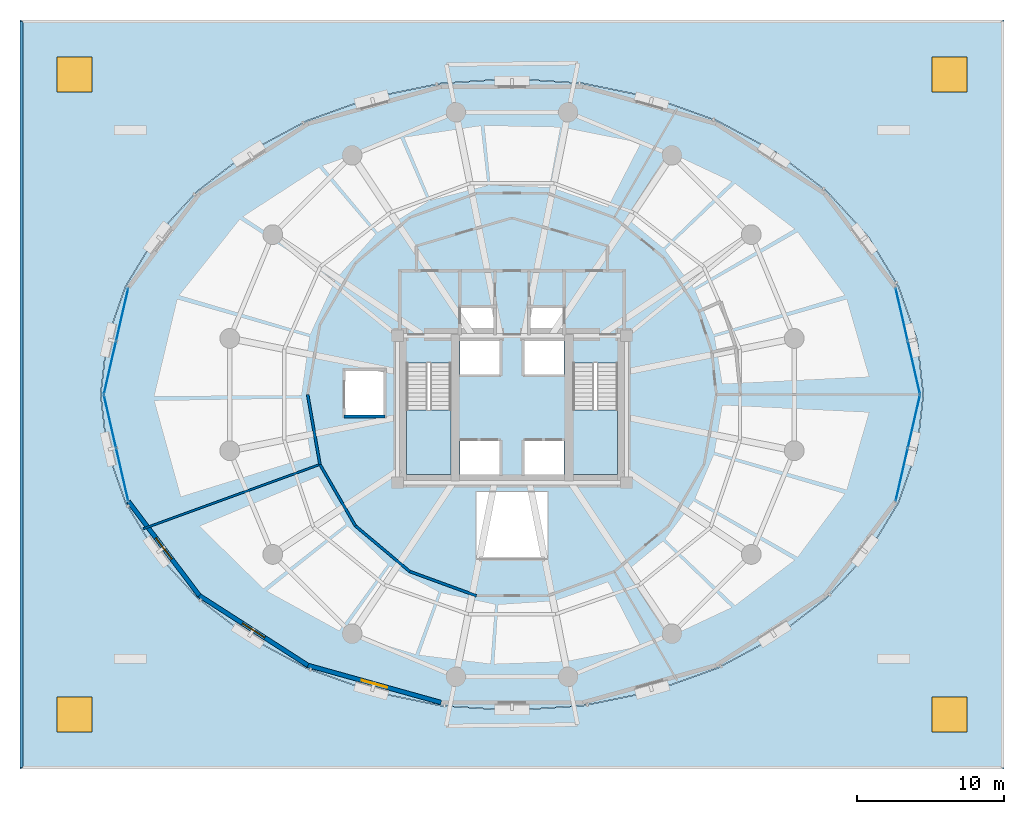
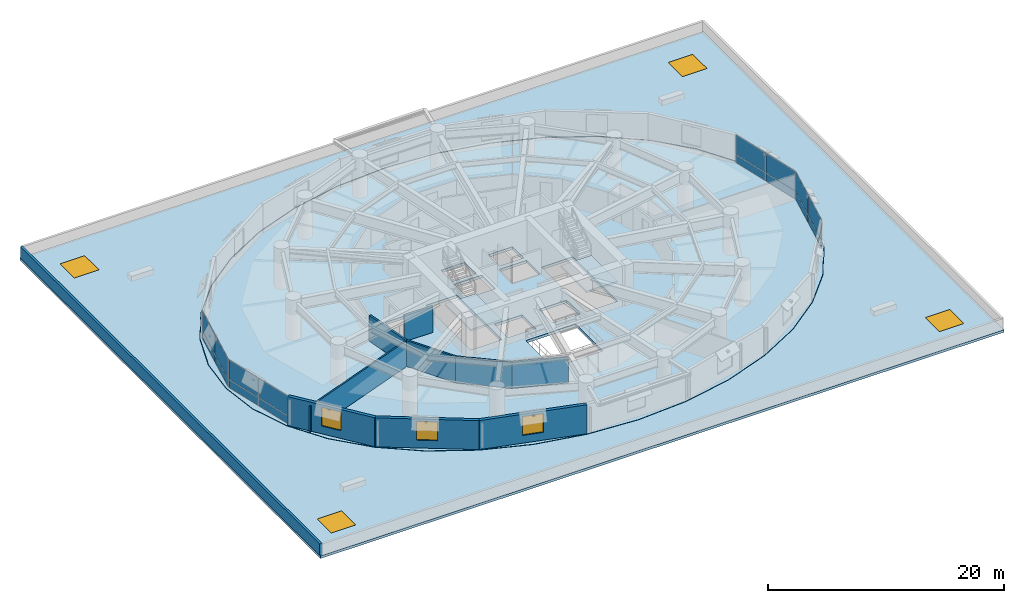
# One storey, part 8 of 15: 16 plates, 10 walls, 7 windows, 4 slabs, 7 openings, 6 elements without a shape of their own.
"""IFC4 building model written with IfcOpenShell, lengths in metres."""

from ifc_helpers import new_model, si_unit, direction, frame, frame_2d, origin, origin_2d, place, context, subcontext, project, spatial, polyline, rectangle, outline, extrude, material, layer, layer_set, type_object, element, fill, aggregate, save


model = new_model("IFC4")

# Units and contexts
model_context = context("Model", 3, precision=1e-05, world=origin(), true_north=direction((0.0, 1.0)))
body_context = subcontext(model_context, "Body", "Model", "MODEL_VIEW")
ifc_project = project(units=[si_unit("LENGTHUNIT", "METRE"), si_unit("AREAUNIT", "SQUARE_METRE"), si_unit("VOLUMEUNIT", "CUBIC_METRE"), si_unit("PLANEANGLEUNIT", "RADIAN"), si_unit("MASSUNIT", "GRAM", prefix="KILO"), si_unit("THERMODYNAMICTEMPERATUREUNIT", "KELVIN"), si_unit("POWERUNIT", "WATT")], contexts=[model_context])

# Site, building, storey
site_placement = place(None, origin())
site = spatial("IfcSite", under=ifc_project, at=site_placement, CompositionType="ELEMENT")
building_placement = place(site_placement, origin())
building = spatial("IfcBuilding", under=site, at=building_placement, Name="Ocrelia Relay Tower", CompositionType="ELEMENT")
storey_placement = place(building_placement, frame((0.0, 0.0, 30.0)))
storey = spatial("IfcBuildingStorey", under=building, at=storey_placement, Name="L06", CompositionType="ELEMENT", Elevation=30.0)

# Curtain wall, plates
ifc_material_1 = material(Name="Aluminium and solar-control low-E glass", Category="aluminium")
ifc_layer_1 = layer(ifc_material_1, 0.179931640625, Name="Aluminium and solar-control low-E glass")
ifc_layer_set_1 = layer_set([ifc_layer_1], Name="Aluminium and solar-control low-E glass")
curtain_wall_type = type_object("IfcCurtainWallType", Name="CW-SYS-Z1-DATA", PredefinedType="NOTDEFINED", material=ifc_layer_set_1)
curtain_wall_1_placement = place(storey_placement, origin())
curtain_wall_1 = element("IfcCurtainWall", 1, at=curtain_wall_1_placement, inside=storey, type_object=curtain_wall_type, Name="L06 Elliptical Tower Curtain Wall Bay 01", PredefinedType="NOTDEFINED")
ifc_material_2 = material(Name="Clear double-glazed low-E glass", Category="glass")
ifc_layer_2 = layer(ifc_material_2, 0.031982421875, Name="Clear double-glazed low-E glass")
ifc_layer_set_2 = layer_set([ifc_layer_2], Name="Clear double-glazed low-E glass")
plate_type = type_object("IfcPlateType", Name="CW-SYS-Z1-DATA-PNL", PredefinedType="CURTAIN_PANEL", material=ifc_layer_set_2)
plate_1_placement = place(storey_placement, frame((61.376953125, 27.83837890625, 0.06494140625), z_axis=(0.0, 0.0, 1.0), x_axis=(-0.224268389459, 0.974527418542, 0.0)))
plate_1 = element("IfcPlate", 2, at=plate_1_placement, type_object=plate_type, Name="CW-Z1 panel 1.1", PredefinedType="CURTAIN_PANEL", context=body_context, shape_type="SweptSolid", body=[
    extrude(rectangle(XDim=3.6328125, YDim=0.031982421875, at=origin_2d()), origin(), (0.0, 0.0, 1.0), 0.802490234375),
])
plate_2_placement = place(storey_placement, frame((61.376953125, 27.83837890625, 0.9326171875), z_axis=(0.0, 0.0, 1.0), x_axis=(-0.224268389459, 0.974527418542, 0.0)))
plate_2 = element("IfcPlate", 3, at=plate_2_placement, type_object=plate_type, Name="CW-Z1 panel 1.2", PredefinedType="CURTAIN_PANEL", context=body_context, shape_type="SweptSolid", body=[
    extrude(rectangle(XDim=3.6328125, YDim=0.031982421875, at=origin_2d()), origin(), (0.0, 0.0, 1.0), 2.00244140625),
])
plate_3_placement = place(storey_placement, frame((60.546630859375, 31.44677734375, 0.06494140625), z_axis=(0.0, 0.0, 1.0), x_axis=(-0.224268389459, 0.974527418542, 0.0)))
plate_3 = element("IfcPlate", 4, at=plate_3_placement, type_object=plate_type, Name="CW-Z1 panel 2.1", PredefinedType="CURTAIN_PANEL", context=body_context, shape_type="SweptSolid", body=[
    extrude(rectangle(XDim=3.6328125, YDim=0.031982421875, at=origin_2d()), origin(), (0.0, 0.0, 1.0), 0.802490234375),
])
plate_4_placement = place(storey_placement, frame((60.546630859375, 31.44677734375, 0.9326171875), z_axis=(0.0, 0.0, 1.0), x_axis=(-0.224268389459, 0.974527418542, 0.0)))
plate_4 = element("IfcPlate", 5, at=plate_4_placement, type_object=plate_type, Name="CW-Z1 panel 2.2", PredefinedType="CURTAIN_PANEL", context=body_context, shape_type="SweptSolid", body=[
    extrude(rectangle(XDim=3.6328125, YDim=0.031982421875, at=origin_2d()), origin(), (0.0, 0.0, 1.0), 2.00244140625),
])
aggregate(curtain_wall_1, [plate_1, plate_2, plate_3, plate_4])

curtain_wall_2_placement = place(storey_placement, origin())
curtain_wall_2 = element("IfcCurtainWall", 6, at=curtain_wall_2_placement, inside=storey, type_object=curtain_wall_type, Name="L06 Elliptical Tower Curtain Wall Bay 09", PredefinedType="NOTDEFINED")
plate_5_placement = place(storey_placement, frame((7.453369140625, 31.44677734375, 0.06494140625), z_axis=(0.0, 0.0, 1.0), x_axis=(-0.224268389459, -0.974527418542, 0.0)))
plate_5 = element("IfcPlate", 7, at=plate_5_placement, type_object=plate_type, Name="CW-Z1 panel 1.1", PredefinedType="CURTAIN_PANEL", context=body_context, shape_type="SweptSolid", body=[
    extrude(rectangle(XDim=3.6328125, YDim=0.031982421875, at=origin_2d()), origin(), (0.0, 0.0, 1.0), 0.802490234375),
])
plate_6_placement = place(storey_placement, frame((7.453369140625, 31.44677734375, 0.9326171875), z_axis=(0.0, 0.0, 1.0), x_axis=(-0.224268389459, -0.974527418542, 0.0)))
plate_6 = element("IfcPlate", 8, at=plate_6_placement, type_object=plate_type, Name="CW-Z1 panel 1.2", PredefinedType="CURTAIN_PANEL", context=body_context, shape_type="SweptSolid", body=[
    extrude(rectangle(XDim=3.6328125, YDim=0.031982421875, at=origin_2d()), origin(), (0.0, 0.0, 1.0), 2.00244140625),
])
plate_7_placement = place(storey_placement, frame((6.623046875, 27.83837890625, 0.06494140625), z_axis=(0.0, 0.0, 1.0), x_axis=(-0.224268389459, -0.974527418542, 0.0)))
plate_7 = element("IfcPlate", 9, at=plate_7_placement, type_object=plate_type, Name="CW-Z1 panel 2.1", PredefinedType="CURTAIN_PANEL", context=body_context, shape_type="SweptSolid", body=[
    extrude(rectangle(XDim=3.6328125, YDim=0.031982421875, at=origin_2d()), origin(), (0.0, 0.0, 1.0), 0.802490234375),
])
plate_8_placement = place(storey_placement, frame((6.623046875, 27.83837890625, 0.9326171875), z_axis=(0.0, 0.0, 1.0), x_axis=(-0.224268389459, -0.974527418542, 0.0)))
plate_8 = element("IfcPlate", 10, at=plate_8_placement, type_object=plate_type, Name="CW-Z1 panel 2.2", PredefinedType="CURTAIN_PANEL", context=body_context, shape_type="SweptSolid", body=[
    extrude(rectangle(XDim=3.6328125, YDim=0.031982421875, at=origin_2d()), origin(), (0.0, 0.0, 1.0), 2.00244140625),
])
aggregate(curtain_wall_2, [plate_5, plate_6, plate_7, plate_8])

curtain_wall_3_placement = place(storey_placement, origin())
curtain_wall_3 = element("IfcCurtainWall", 11, at=curtain_wall_3_placement, inside=storey, type_object=curtain_wall_type, Name="L06 Elliptical Tower Curtain Wall Bay 10", PredefinedType="NOTDEFINED")
plate_9_placement = place(storey_placement, frame((6.623046875, 24.16162109375, 0.06494140625), z_axis=(0.0, 0.0, 1.0), x_axis=(0.224268389459, -0.974527418542, 0.0)))
plate_9 = element("IfcPlate", 12, at=plate_9_placement, type_object=plate_type, Name="CW-Z1 panel 1.1", PredefinedType="CURTAIN_PANEL", context=body_context, shape_type="SweptSolid", body=[
    extrude(rectangle(XDim=3.6328125, YDim=0.031982421875, at=origin_2d()), origin(), (0.0, 0.0, 1.0), 0.802490234375),
])
plate_10_placement = place(storey_placement, frame((6.623046875, 24.16162109375, 0.9326171875), z_axis=(0.0, 0.0, 1.0), x_axis=(0.224268389459, -0.974527418542, 0.0)))
plate_10 = element("IfcPlate", 13, at=plate_10_placement, type_object=plate_type, Name="CW-Z1 panel 1.2", PredefinedType="CURTAIN_PANEL", context=body_context, shape_type="SweptSolid", body=[
    extrude(rectangle(XDim=3.6328125, YDim=0.031982421875, at=origin_2d()), origin(), (0.0, 0.0, 1.0), 2.00244140625),
])
plate_11_placement = place(storey_placement, frame((7.453369140625, 20.55322265625, 0.06494140625), z_axis=(0.0, 0.0, 1.0), x_axis=(0.224268389459, -0.974527418542, 0.0)))
plate_11 = element("IfcPlate", 14, at=plate_11_placement, type_object=plate_type, Name="CW-Z1 panel 2.1", PredefinedType="CURTAIN_PANEL", context=body_context, shape_type="SweptSolid", body=[
    extrude(rectangle(XDim=3.6328125, YDim=0.031982421875, at=origin_2d()), origin(), (0.0, 0.0, 1.0), 0.802490234375),
])
plate_12_placement = place(storey_placement, frame((7.453369140625, 20.55322265625, 0.9326171875), z_axis=(0.0, 0.0, 1.0), x_axis=(0.224268389459, -0.974527418542, 0.0)))
plate_12 = element("IfcPlate", 15, at=plate_12_placement, type_object=plate_type, Name="CW-Z1 panel 2.2", PredefinedType="CURTAIN_PANEL", context=body_context, shape_type="SweptSolid", body=[
    extrude(rectangle(XDim=3.6328125, YDim=0.031982421875, at=origin_2d()), origin(), (0.0, 0.0, 1.0), 2.00244140625),
])
aggregate(curtain_wall_3, [plate_9, plate_10, plate_11, plate_12])

curtain_wall_4_placement = place(storey_placement, origin())
curtain_wall_4 = element("IfcCurtainWall", 16, at=curtain_wall_4_placement, inside=storey, type_object=curtain_wall_type, Name="L06 Elliptical Tower Curtain Wall Bay 18", PredefinedType="NOTDEFINED")
plate_13_placement = place(storey_placement, frame((60.546630859375, 20.55322265625, 0.06494140625), z_axis=(0.0, 0.0, 1.0), x_axis=(0.224268389459, 0.974527418542, 0.0)))
plate_13 = element("IfcPlate", 17, at=plate_13_placement, type_object=plate_type, Name="CW-Z1 panel 1.1", PredefinedType="CURTAIN_PANEL", context=body_context, shape_type="SweptSolid", body=[
    extrude(rectangle(XDim=3.6328125, YDim=0.031982421875, at=origin_2d()), origin(), (0.0, 0.0, 1.0), 0.802490234375),
])
plate_14_placement = place(storey_placement, frame((60.546630859375, 20.55322265625, 0.9326171875), z_axis=(0.0, 0.0, 1.0), x_axis=(0.224268389459, 0.974527418542, 0.0)))
plate_14 = element("IfcPlate", 18, at=plate_14_placement, type_object=plate_type, Name="CW-Z1 panel 1.2", PredefinedType="CURTAIN_PANEL", context=body_context, shape_type="SweptSolid", body=[
    extrude(rectangle(XDim=3.6328125, YDim=0.031982421875, at=origin_2d()), origin(), (0.0, 0.0, 1.0), 2.00244140625),
])
plate_15_placement = place(storey_placement, frame((61.376953125, 24.16162109375, 0.06494140625), z_axis=(0.0, 0.0, 1.0), x_axis=(0.224268389459, 0.974527418542, 0.0)))
plate_15 = element("IfcPlate", 19, at=plate_15_placement, type_object=plate_type, Name="CW-Z1 panel 2.1", PredefinedType="CURTAIN_PANEL", context=body_context, shape_type="SweptSolid", body=[
    extrude(rectangle(XDim=3.6328125, YDim=0.031982421875, at=origin_2d()), origin(), (0.0, 0.0, 1.0), 0.802490234375),
])
plate_16_placement = place(storey_placement, frame((61.376953125, 24.16162109375, 0.9326171875), z_axis=(0.0, 0.0, 1.0), x_axis=(0.224268389459, 0.974527418542, 0.0)))
plate_16 = element("IfcPlate", 20, at=plate_16_placement, type_object=plate_type, Name="CW-Z1 panel 2.2", PredefinedType="CURTAIN_PANEL", context=body_context, shape_type="SweptSolid", body=[
    extrude(rectangle(XDim=3.6328125, YDim=0.031982421875, at=origin_2d()), origin(), (0.0, 0.0, 1.0), 2.00244140625),
])
aggregate(curtain_wall_4, [plate_13, plate_14, plate_15, plate_16])

# Slab
ifc_material_3 = material(Name="Concrete C50/60", Category="concrete")
ifc_layer_3 = layer(ifc_material_3, 0.280029296875, Name="Concrete C50/60")
ifc_layer_set_3 = layer_set([ifc_layer_3], Name="Concrete C50/60")
slab_type_1 = type_object("IfcSlabType", Name="SL-FLR-280", PredefinedType="FLOOR", material=ifc_layer_set_3)
slab_1_placement = place(storey_placement, frame((0.0, 0.0, -0.280029296875)))
element("IfcSlab", 21, at=slab_1_placement, inside=storey, type_object=slab_type_1, Name="L06 Elliptical Tower Floor Slab", PredefinedType="FLOOR", context=body_context, shape_type="SweptSolid", body=[
    extrude(outline(polyline([(62.0, 26.0), (61.57470703125, 29.7333984375), (60.311279296875, 33.353515625), (58.248779296875, 36.75), (55.44921875, 39.81982421875), (51.998046875, 42.469970703125), (48.0, 44.619384765625), (43.57666015625, 46.203369140625), (38.862060546875, 47.17333984375), (34.0, 47.5), (29.137939453125, 47.17333984375), (24.42333984375, 46.203369140625), (20.0, 44.619384765625), (16.001953125, 42.469970703125), (12.55078125, 39.81982421875), (9.751220703125, 36.75), (7.688720703125, 33.353515625), (6.42529296875, 29.7333984375), (6.0, 26.0), (6.42529296875, 22.2666015625), (7.688720703125, 18.646484375), (9.751220703125, 15.25), (12.55078125, 12.18017578125), (16.001953125, 9.530029296875), (20.0, 7.380615234375), (24.42333984375, 5.796630859375), (29.137939453125, 4.82666015625), (34.0, 4.5), (38.862060546875, 4.82666015625), (43.57666015625, 5.796630859375), (48.0, 7.380615234375), (51.998046875, 9.530029296875), (55.44921875, 12.18017578125), (58.248779296875, 15.25), (60.311279296875, 18.646484375), (61.57470703125, 22.2666015625), (62.0, 26.0)]), holes=[polyline([(26.81005859375, 28.14990234375), (26.81005859375, 20.550048828125), (29.85009765625, 20.550048828125), (29.85009765625, 28.14990234375), (26.81005859375, 28.14990234375)]), polyline([(38.159912109375, 28.14990234375), (38.159912109375, 20.550048828125), (41.199951171875, 20.550048828125), (41.199951171875, 28.14990234375), (38.159912109375, 28.14990234375)]), polyline([(30.4599609375, 20.550048828125), (33.159912109375, 20.550048828125), (33.159912109375, 22.85009765625), (30.4599609375, 22.85009765625), (30.4599609375, 20.550048828125)]), polyline([(34.840087890625, 20.550048828125), (37.5400390625, 20.550048828125), (37.5400390625, 22.85009765625), (34.840087890625, 22.85009765625), (34.840087890625, 20.550048828125)]), polyline([(30.4599609375, 27.35009765625), (33.159912109375, 27.35009765625), (33.159912109375, 29.64990234375), (30.4599609375, 29.64990234375), (30.4599609375, 27.35009765625)]), polyline([(34.840087890625, 27.35009765625), (37.5400390625, 27.35009765625), (37.5400390625, 29.64990234375), (34.840087890625, 29.64990234375), (34.840087890625, 27.35009765625)]), polyline([(30.5, 30.10009765625), (32.85009765625, 30.10009765625), (32.85009765625, 32.0), (30.5, 32.0), (30.5, 30.10009765625)]), polyline([(35.14990234375, 30.10009765625), (37.5, 30.10009765625), (37.5, 32.0), (35.14990234375, 32.0), (35.14990234375, 30.10009765625)]), polyline([(22.550048828125, 24.5), (25.35009765625, 24.5), (25.35009765625, 27.699951171875), (22.550048828125, 27.699951171875), (22.550048828125, 24.5)]), polyline([(31.550048828125, 14.800048828125), (36.449951171875, 14.800048828125), (36.449951171875, 19.39990234375), (31.550048828125, 19.39990234375), (31.550048828125, 14.800048828125)])]), origin(), (0.0, 0.0, 1.0), 0.280029296875),
])

# Stair, slab
stair_type = type_object("IfcStairType", Name="ST-DL-1420-R175", PredefinedType="HALF_TURN_STAIR", material=ifc_material_3)
stair_1_placement = place(storey_placement, origin())
stair_1 = element("IfcStair", 22, at=stair_1_placement, inside=storey, type_object=stair_type, Name="L06 West Core Exit Stair ST1", PredefinedType="HALF_TURN_STAIR")
ifc_layer_4 = layer(ifc_material_3, 0.199951171875, Name="Concrete C50/60")
ifc_layer_set_4 = layer_set([ifc_layer_4], Name="Concrete C50/60")
slab_type_2 = type_object("IfcSlabType", Name="SL-LANDING-200", PredefinedType="LANDING", material=ifc_layer_set_4)
slab_2_placement = place(storey_placement, frame((0.0, 0.0, 1.89990234375)))
slab_2 = element("IfcSlab", 23, at=slab_2_placement, type_object=slab_type_2, Name="ST1 landing 1", PredefinedType="LANDING", context=body_context, shape_type="SweptSolid", body=[
    extrude(outline(polyline([(26.81005859375, 24.9599609375), (26.81005859375, 20.550048828125), (29.85009765625, 20.550048828125), (29.85009765625, 24.9599609375), (26.81005859375, 24.9599609375)])), origin(), (0.0, 0.0, 1.0), 0.2001953125),
])
aggregate(stair_1, [slab_2])

stair_2_placement = place(storey_placement, origin())
stair_2 = element("IfcStair", 24, at=stair_2_placement, inside=storey, type_object=stair_type, Name="L06 East Core Exit Stair ST2", PredefinedType="HALF_TURN_STAIR")
slab_3_placement = place(storey_placement, frame((0.0, 0.0, 1.89990234375)))
slab_3 = element("IfcSlab", 25, at=slab_3_placement, type_object=slab_type_2, Name="ST2 landing 1", PredefinedType="LANDING", context=body_context, shape_type="SweptSolid", body=[
    extrude(outline(polyline([(38.159912109375, 24.9599609375), (38.159912109375, 20.550048828125), (41.199951171875, 20.550048828125), (41.199951171875, 24.9599609375), (38.159912109375, 24.9599609375)])), origin(), (0.0, 0.0, 1.0), 0.2001953125),
])
aggregate(stair_2, [slab_3])

# Slab, openings, windows
ifc_layer_5 = layer(ifc_material_3, 0.260009765625, Name="Concrete C50/60")
ifc_layer_set_5 = layer_set([ifc_layer_5], Name="Concrete C50/60")
slab_type_3 = type_object("IfcSlabType", Name="SL-ROOF-260", PredefinedType="ROOF", material=ifc_layer_set_5)
slab_4_placement = place(storey_placement, frame((0.0, 0.0, -0.260009765625)))
slab_4 = element("IfcSlab", 26, at=slab_4_placement, inside=storey, type_object=slab_type_3, Name="Podium Maintenance Green Roof with Skylights", PredefinedType="ROOF", context=body_context, shape_type="SweptSolid", body=[
    extrude(outline(polyline([(0.5, 0.5), (67.5, 0.5), (67.5, 51.5), (0.5, 51.5), (0.5, 0.5)]), holes=[polyline([(62.030029296875, 26.0), (61.604248046875, 29.738525390625), (60.339599609375, 33.36376953125), (58.274658203125, 36.764892578125), (55.47216796875, 39.839111328125), (52.017333984375, 42.492919921875), (48.014892578125, 44.6455078125), (43.5869140625, 46.231689453125), (38.867431640625, 47.202880859375), (34.0, 47.530029296875), (29.132568359375, 47.202880859375), (24.4130859375, 46.231689453125), (19.985107421875, 44.6455078125), (15.982666015625, 42.492919921875), (12.52783203125, 39.839111328125), (9.725341796875, 36.764892578125), (7.660400390625, 33.36376953125), (6.395751953125, 29.738525390625), (5.969970703125, 26.0), (6.395751953125, 22.261474609375), (7.660400390625, 18.63623046875), (9.725341796875, 15.235107421875), (12.52783203125, 12.160888671875), (15.982666015625, 9.507080078125), (19.985107421875, 7.3544921875), (24.4130859375, 5.768310546875), (29.132568359375, 4.797119140625), (34.0, 4.469970703125), (38.867431640625, 4.797119140625), (43.5869140625, 5.768310546875), (48.014892578125, 7.3544921875), (52.017333984375, 9.507080078125), (55.47216796875, 12.160888671875), (58.274658203125, 15.235107421875), (60.339599609375, 18.63623046875), (61.604248046875, 22.261474609375), (62.030029296875, 26.0)]), polyline([(3.0, 3.0), (5.39990234375, 3.0), (5.39990234375, 5.39990234375), (3.0, 5.39990234375), (3.0, 3.0)]), polyline([(62.60009765625, 3.0), (65.0, 3.0), (65.0, 5.39990234375), (62.60009765625, 5.39990234375), (62.60009765625, 3.0)]), polyline([(3.0, 46.60009765625), (5.39990234375, 46.60009765625), (5.39990234375, 49.0), (3.0, 49.0), (3.0, 46.60009765625)]), polyline([(62.60009765625, 46.60009765625), (65.0, 46.60009765625), (65.0, 49.0), (62.60009765625, 49.0), (62.60009765625, 46.60009765625)])]), origin(), (0.0, 0.0, 1.0), 0.260009765625),
])
opening_1_placement = place(slab_4_placement, frame((4.199951171875, 4.199951171875, 0.0)))
opening_1 = element("IfcOpeningElement", 27, at=opening_1_placement, cuts=slab_4, Name="Opening WSK-01", PredefinedType="OPENING", context=body_context, shape_type="SweptSolid", body=[
    extrude(rectangle(XDim=2.39990234375, YDim=2.39990234375, at=origin_2d()), frame((0.0, 0.0, -0.010009765625)), (0.0, 0.0, 1.0), 0.280029296875),
])
opening_2_placement = place(slab_4_placement, frame((63.800048828125, 4.199951171875, 0.0)))
opening_2 = element("IfcOpeningElement", 28, at=opening_2_placement, cuts=slab_4, Name="Opening WSK-01", PredefinedType="OPENING", context=body_context, shape_type="SweptSolid", body=[
    extrude(rectangle(XDim=2.39990234375, YDim=2.39990234375, at=origin_2d()), frame((0.0, 0.0, -0.010009765625)), (0.0, 0.0, 1.0), 0.280029296875),
])
opening_3_placement = place(slab_4_placement, frame((4.199951171875, 47.800048828125, 0.0)))
opening_3 = element("IfcOpeningElement", 29, at=opening_3_placement, cuts=slab_4, Name="Opening WSK-01", PredefinedType="OPENING", context=body_context, shape_type="SweptSolid", body=[
    extrude(rectangle(XDim=2.39990234375, YDim=2.39990234375, at=origin_2d()), frame((0.0, 0.0, -0.010009765625)), (0.0, 0.0, 1.0), 0.280029296875),
])
opening_4_placement = place(slab_4_placement, frame((63.800048828125, 47.800048828125, 0.0)))
opening_4 = element("IfcOpeningElement", 30, at=opening_4_placement, cuts=slab_4, Name="Opening WSK-01", PredefinedType="OPENING", context=body_context, shape_type="SweptSolid", body=[
    extrude(rectangle(XDim=2.39990234375, YDim=2.39990234375, at=origin_2d()), frame((0.0, 0.0, -0.010009765625)), (0.0, 0.0, 1.0), 0.280029296875),
])
window_type_1 = type_object("IfcWindowType", Name="WIN-SKY-2400x2400", PartitioningType="SINGLE_PANEL", PredefinedType="SKYLIGHT", material=ifc_material_2)
window_1_placement = place(opening_1_placement, frame((0.0, 0.0, 0.2099609375)))
window_1 = element("IfcWindow", 31, at=window_1_placement, inside=storey, type_object=window_type_1, Name="Podium Roof Terrace Skylight 1", OverallHeight=2.39990234375, OverallWidth=2.39990234375, PartitioningType="SINGLE_PANEL", PredefinedType="SKYLIGHT", context=body_context, shape_type="SweptSolid", body=[
    extrude(rectangle(XDim=2.39990234375, YDim=2.39990234375, at=origin_2d()), origin(), (0.0, 0.0, 1.0), 0.050048828125),
])
fill(opening_1, window_1)
window_2_placement = place(opening_2_placement, frame((0.0, 0.0, 0.2099609375)))
window_2 = element("IfcWindow", 32, at=window_2_placement, inside=storey, type_object=window_type_1, Name="Podium Roof Terrace Skylight 2", OverallHeight=2.39990234375, OverallWidth=2.39990234375, PartitioningType="SINGLE_PANEL", PredefinedType="SKYLIGHT", context=body_context, shape_type="SweptSolid", body=[
    extrude(rectangle(XDim=2.39990234375, YDim=2.39990234375, at=origin_2d()), origin(), (0.0, 0.0, 1.0), 0.050048828125),
])
fill(opening_2, window_2)
window_3_placement = place(opening_3_placement, frame((0.0, 0.0, 0.2099609375)))
window_3 = element("IfcWindow", 33, at=window_3_placement, inside=storey, type_object=window_type_1, Name="Podium Roof Terrace Skylight 3", OverallHeight=2.39990234375, OverallWidth=2.39990234375, PartitioningType="SINGLE_PANEL", PredefinedType="SKYLIGHT", context=body_context, shape_type="SweptSolid", body=[
    extrude(rectangle(XDim=2.39990234375, YDim=2.39990234375, at=origin_2d()), origin(), (0.0, 0.0, 1.0), 0.050048828125),
])
fill(opening_3, window_3)
window_4_placement = place(opening_4_placement, frame((0.0, 0.0, 0.2099609375)))
window_4 = element("IfcWindow", 34, at=window_4_placement, inside=storey, type_object=window_type_1, Name="Podium Roof Terrace Skylight 4", OverallHeight=2.39990234375, OverallWidth=2.39990234375, PartitioningType="SINGLE_PANEL", PredefinedType="SKYLIGHT", context=body_context, shape_type="SweptSolid", body=[
    extrude(rectangle(XDim=2.39990234375, YDim=2.39990234375, at=origin_2d()), origin(), (0.0, 0.0, 1.0), 0.050048828125),
])
fill(opening_4, window_4)

# Walls
ifc_material_4 = material(Name="Gypsum Fireboard Partition EI60", Category="gypsum")
ifc_layer_6 = layer(ifc_material_4, 0.179931640625, Name="Gypsum Fireboard Partition EI60")
ifc_layer_set_6 = layer_set([ifc_layer_6], Name="Gypsum Fireboard Partition EI60")
wall_type_1 = type_object("IfcWallType", Name="W-CORR-EI60-180", PredefinedType="PARTITIONING", material=ifc_layer_set_6)
wall_1_placement = place(storey_placement, frame((20.080078125, 26.0, 0.0), z_axis=(0.0, 0.0, 1.0), x_axis=(0.173621119757, -0.984812523669, 0.0)))
element("IfcWall", 35, at=wall_1_placement, inside=storey, type_object=wall_type_1, Name="L06 Colocation Data Hall A Corridor Partition 7", PredefinedType="PARTITIONING", context=body_context, shape_type="SweptSolid", body=[
    extrude(rectangle(XDim=4.83447265625, YDim=0.179931640625, at=frame_2d((2.417236328125, 0.0))), origin(), (0.0, 0.0, 1.0), 2.669921875),
])
wall_2_placement = place(storey_placement, frame((20.91943359375, 21.239013671875, 0.0), z_axis=(0.0, 0.0, 1.0), x_axis=(0.500022634323, -0.866012335458, 0.0)))
element("IfcWall", 36, at=wall_2_placement, inside=storey, type_object=wall_type_1, Name="L06 Hardware Testing Laboratory Corridor Partition 1", PredefinedType="PARTITIONING", context=body_context, shape_type="SweptSolid", body=[
    extrude(rectangle(XDim=4.834228515625, YDim=0.179931640625, at=frame_2d((2.4169921875, 0.0))), origin(), (0.0, 0.0, 1.0), 2.669921875),
])
wall_3_placement = place(storey_placement, frame((23.336669921875, 17.052490234375, 0.0), z_axis=(0.0, 0.0, 1.0), x_axis=(0.766027093856, -0.642808285167, 0.0)))
element("IfcWall", 37, at=wall_3_placement, inside=storey, type_object=wall_type_1, Name="L06 Hardware Testing Laboratory Corridor Partition 2", PredefinedType="PARTITIONING", context=body_context, shape_type="SweptSolid", body=[
    extrude(rectangle(XDim=4.83447265625, YDim=0.179931640625, at=frame_2d((2.417236328125, 0.0))), origin(), (0.0, 0.0, 1.0), 2.669921875),
])
wall_4_placement = place(storey_placement, frame((27.0400390625, 13.94482421875, 0.0), z_axis=(0.0, 0.0, 1.0), x_axis=(0.939699018122, -0.342002566277, 0.0)))
element("IfcWall", 38, at=wall_4_placement, inside=storey, type_object=wall_type_1, Name="L06 Hardware Testing Laboratory Corridor Partition 3", PredefinedType="PARTITIONING", context=body_context, shape_type="SweptSolid", body=[
    extrude(rectangle(XDim=4.834228515625, YDim=0.179931640625, at=frame_2d((2.4169921875, 0.0))), origin(), (0.0, 0.0, 1.0), 2.669921875),
])

# Wall, opening, window
ifc_material_5 = material(Name="Precast concrete C40/50 with oxide terracotta", Category="masonry")
ifc_layer_7 = layer(ifc_material_5, 0.300048828125, Name="Precast concrete C40/50 with oxide terracotta")
ifc_layer_set_7 = layer_set([ifc_layer_7], Name="Precast concrete C40/50 with oxide terracotta")
wall_type_2 = type_object("IfcWallType", Name="W-EXT-TERR-300", PredefinedType="SOLIDWALL", material=ifc_layer_set_7)
wall_5_placement = place(storey_placement, frame((7.87646484375, 18.715087890625, 0.0), z_axis=(0.0, 0.0, 1.0), x_axis=(0.601814793535, -0.798635683076, 0.0)))
wall_5 = element("IfcWall", 39, at=wall_5_placement, inside=storey, type_object=wall_type_2, Name="L06 Oxide Terracotta Facade Wall 11", PredefinedType="SOLIDWALL", context=body_context, shape_type="SweptSolid", body=[
    extrude(rectangle(XDim=8.021728515625, YDim=0.300048828125, at=frame_2d((4.0107421875, 0.0))), origin(), (0.0, 0.0, 1.0), 3.0),
])
opening_5_placement = place(wall_5_placement, frame((3.111083984375, 0.0, 0.800048828125)))
opening_5 = element("IfcOpeningElement", 40, at=opening_5_placement, cuts=wall_5, Name="Opening W-02", PredefinedType="OPENING", context=body_context, shape_type="SweptSolid", body=[
    extrude(rectangle(XDim=1.800048828125, YDim=1.949951171875, at=frame_2d((0.89990234375, 0.97509765625))), frame((0.0, 0.16015625, 0.0), z_axis=(0.0, -1.0, 0.0), x_axis=(1.0, 0.0, 0.0)), (0.0, 0.0, 1.0), 0.320068359375),
])
window_type_2 = type_object("IfcWindowType", Name="WIN-Z1-1800x2100", PartitioningType="DOUBLE_PANEL_VERTICAL", PredefinedType="WINDOW", material=ifc_material_2)
window_5_placement = place(opening_5_placement, origin())
window_5 = element("IfcWindow", 41, at=window_5_placement, inside=storey, type_object=window_type_2, Name="L06 Facade Module Window 11", OverallHeight=1.949951171875, OverallWidth=1.800048828125, PartitioningType="SINGLE_PANEL", PredefinedType="WINDOW", context=body_context, shape_type="SweptSolid", body=[
    extrude(rectangle(XDim=1.800048828125, YDim=1.949951171875, at=frame_2d((0.89990234375, 0.97509765625))), frame((0.0, 0.030029296875, 0.0), z_axis=(0.0, -1.0, 0.0), x_axis=(1.0, 0.0, 0.0)), (0.0, 0.0, 1.0), 0.06005859375),
])
fill(opening_5, window_5)

wall_6_placement = place(storey_placement, frame((12.7041015625, 12.30859375, 0.0), z_axis=(0.0, 0.0, 1.0), x_axis=(0.841162236031, -0.540782851685, 0.0)))
wall_6 = element("IfcWall", 42, at=wall_6_placement, inside=storey, type_object=wall_type_2, Name="L06 Oxide Terracotta Facade Wall 12", PredefinedType="SOLIDWALL", context=body_context, shape_type="SweptSolid", body=[
    extrude(rectangle(XDim=8.79248046875, YDim=0.300048828125, at=frame_2d((4.396240234375, 0.0))), origin(), (0.0, 0.0, 1.0), 3.0),
])
opening_6_placement = place(wall_6_placement, frame((3.49609375, 0.0, 0.800048828125)))
opening_6 = element("IfcOpeningElement", 43, at=opening_6_placement, cuts=wall_6, Name="Opening W-02", PredefinedType="OPENING", context=body_context, shape_type="SweptSolid", body=[
    extrude(rectangle(XDim=1.800048828125, YDim=1.949951171875, at=frame_2d((0.89990234375, 0.97509765625))), frame((0.0, 0.16015625, 0.0), z_axis=(0.0, -1.0, 0.0), x_axis=(1.0, 0.0, 0.0)), (0.0, 0.0, 1.0), 0.320068359375),
])
window_6_placement = place(opening_6_placement, origin())
window_6 = element("IfcWindow", 44, at=window_6_placement, inside=storey, type_object=window_type_2, Name="L06 Facade Module Window 12", OverallHeight=1.949951171875, OverallWidth=1.800048828125, PartitioningType="SINGLE_PANEL", PredefinedType="WINDOW", context=body_context, shape_type="SweptSolid", body=[
    extrude(rectangle(XDim=1.800048828125, YDim=1.949951171875, at=frame_2d((0.89990234375, 0.97509765625))), frame((0.0, 0.030029296875, 0.0), z_axis=(0.0, -1.0, 0.0), x_axis=(1.0, 0.0, 0.0)), (0.0, 0.0, 1.0), 0.06005859375),
])
fill(opening_6, window_6)

wall_7_placement = place(storey_placement, frame((20.10009765625, 7.5537109375, 0.0), z_axis=(0.0, 0.0, 1.0), x_axis=(0.963246695545, -0.268618323133, 0.0)))
wall_7 = element("IfcWall", 45, at=wall_7_placement, inside=storey, type_object=wall_type_2, Name="L06 Oxide Terracotta Facade Wall 13", PredefinedType="SOLIDWALL", context=body_context, shape_type="SweptSolid", body=[
    extrude(rectangle(XDim=9.418701171875, YDim=0.300048828125, at=frame_2d((4.70947265625, 0.0))), origin(), (0.0, 0.0, 1.0), 3.0),
])
opening_7_placement = place(wall_7_placement, frame((3.80908203125, 0.0, 0.800048828125)))
opening_7 = element("IfcOpeningElement", 46, at=opening_7_placement, cuts=wall_7, Name="Opening W-02", PredefinedType="OPENING", context=body_context, shape_type="SweptSolid", body=[
    extrude(rectangle(XDim=1.800048828125, YDim=1.949951171875, at=frame_2d((0.89990234375, 0.97509765625))), frame((0.0, 0.16015625, 0.0), z_axis=(0.0, -1.0, 0.0), x_axis=(1.0, 0.0, 0.0)), (0.0, 0.0, 1.0), 0.320068359375),
])
window_7_placement = place(opening_7_placement, origin())
window_7 = element("IfcWindow", 47, at=window_7_placement, inside=storey, type_object=window_type_2, Name="L06 Facade Module Window 13", OverallHeight=1.949951171875, OverallWidth=1.800048828125, PartitioningType="SINGLE_PANEL", PredefinedType="WINDOW", context=body_context, shape_type="SweptSolid", body=[
    extrude(rectangle(XDim=1.800048828125, YDim=1.949951171875, at=frame_2d((0.89990234375, 0.97509765625))), frame((0.0, 0.030029296875, 0.0), z_axis=(0.0, -1.0, 0.0), x_axis=(1.0, 0.0, 0.0)), (0.0, 0.0, 1.0), 0.06005859375),
])
fill(opening_7, window_7)

# Walls
ifc_layer_8 = layer(ifc_material_5, 0.219970703125, Name="Precast concrete C40/50 with oxide terracotta")
ifc_layer_set_8 = layer_set([ifc_layer_8], Name="Precast concrete C40/50 with oxide terracotta")
wall_type_3 = type_object("IfcWallType", Name="W-PARAPET-220", PredefinedType="PARAPET", material=ifc_layer_set_8)
wall_8_placement = place(storey_placement, frame((0.60009765625, 51.39990234375, 0.0), z_axis=(0.0, 0.0, 1.0), x_axis=(0.0, -1.0, 0.0)))
element("IfcWall", 48, at=wall_8_placement, inside=storey, type_object=wall_type_3, Name="Podium Roof Terrace Parapet W", PredefinedType="PARAPET", context=body_context, shape_type="SweptSolid", body=[
    extrude(rectangle(XDim=50.7998046875, YDim=0.219970703125, at=frame_2d((25.39990234375, 0.0))), origin(), (0.0, 0.0, 1.0), 1.199951171875),
])
ifc_material_6 = material(Name="Acoustic Fireboard Partition EI60", Category="gypsum")
ifc_layer_9 = layer(ifc_material_6, 0.139892578125, Name="Acoustic Fireboard Partition EI60")
ifc_layer_set_9 = layer_set([ifc_layer_9], Name="Acoustic Fireboard Partition EI60")
wall_type_4 = type_object("IfcWallType", Name="W-PART-140", PredefinedType="PARTITIONING", material=ifc_layer_set_9)
wall_9_placement = place(storey_placement, frame((20.91943359375, 21.239013671875, 0.0), z_axis=(0.0, 0.0, 1.0), x_axis=(-0.93969037319, -0.342026318481, 0.0)))
element("IfcWall", 49, at=wall_9_placement, inside=storey, type_object=wall_type_4, Name="L06 Colocation Data Hall A Radial Partition", PredefinedType="PARTITIONING", context=body_context, shape_type="SweptSolid", body=[
    extrude(rectangle(XDim=12.802001953125, YDim=0.139892578125, at=frame_2d((6.40087890625, 0.0))), origin(), (0.0, 0.0, 1.0), 2.669921875),
])
ifc_layer_10 = layer(ifc_material_3, 0.199951171875, Name="Concrete C50/60")
ifc_layer_set_10 = layer_set([ifc_layer_10], Name="Concrete C50/60")
wall_type_5 = type_object("IfcWallType", Name="W-SHAFT-EI120-200", PredefinedType="SOLIDWALL", material=ifc_layer_set_10)
wall_10_placement = place(storey_placement, frame((22.550048828125, 24.5, 0.0), z_axis=(0.0, 0.0, 1.0), x_axis=(1.0, 0.0, 0.0)))
element("IfcWall", 50, at=wall_10_placement, inside=storey, type_object=wall_type_5, Name="L06 Goods Lift Shaft S Wall", PredefinedType="SOLIDWALL", context=body_context, shape_type="SweptSolid", body=[
    extrude(rectangle(XDim=2.800048828125, YDim=0.199951171875, at=frame_2d((1.39990234375, 0.0))), origin(), (0.0, 0.0, 1.0), 2.669921875),
])

save(model, "model.ifc")
